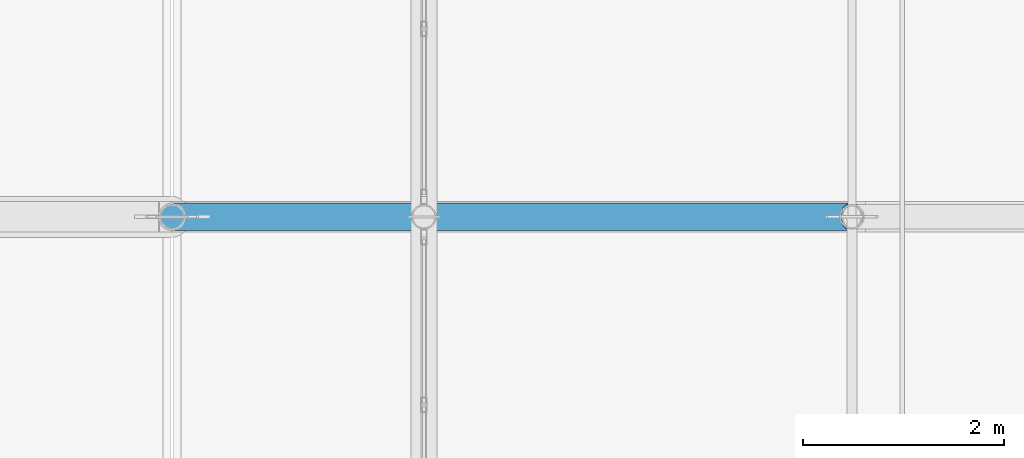
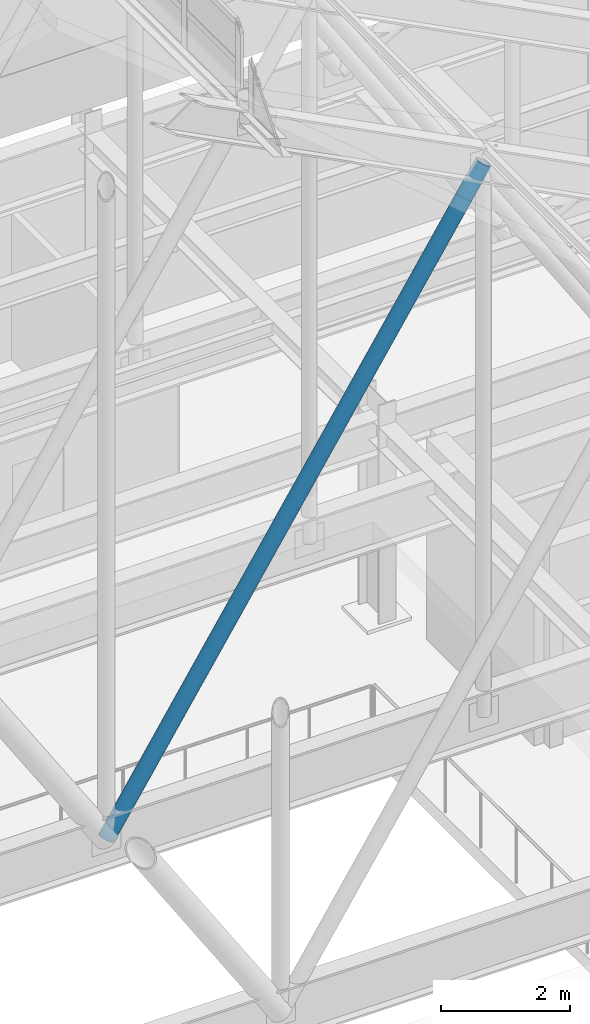
# One storey, part 44 of 84: 1 member.
"""IFC4 building model written with IfcOpenShell, lengths in metres."""

from ifc_helpers import new_model, si_unit, direction, frame, origin, origin_2d, place, context, subcontext, project, spatial, hollow_circle, extrude, material, material_profile, profile_set, type_object, element, save


model = new_model("IFC4")

# Units and contexts
model_context = context("Model", 3, precision=1e-05, world=origin(), true_north=direction((0.0, 1.0)))
body_context = subcontext(model_context, "Body", "Model", "MODEL_VIEW")
ifc_project = project(units=[si_unit("LENGTHUNIT", "METRE"), si_unit("AREAUNIT", "SQUARE_METRE"), si_unit("VOLUMEUNIT", "CUBIC_METRE"), si_unit("PLANEANGLEUNIT", "RADIAN"), si_unit("MASSUNIT", "GRAM", prefix="KILO")], contexts=[model_context])

# Site, building, storey
site_placement = place(None, origin())
site = spatial("IfcSite", under=ifc_project, at=site_placement, CompositionType="ELEMENT")
building_placement = place(site_placement, origin())
building = spatial("IfcBuilding", under=site, at=building_placement, Name="Sundgate Opera House", CompositionType="ELEMENT")
storey_placement = place(building_placement, frame((0.0, 0.0, 30.60009765625)))
storey = spatial("IfcBuildingStorey", under=building, at=storey_placement, Name="L06", CompositionType="ELEMENT", Elevation=30.60009765625)

# Member
ifc_material = material(Name="Steel S355J2", Category="steel")
ifc_material_profile = material_profile(ifc_material, hollow_circle(Radius=0.136474609375, WallThickness=0.01611328125, at=origin_2d()), Name="CHS 273.0x16.0")
ifc_profile_set = profile_set([ifc_material_profile], Name="Steel S355J2")
member_type = type_object("IfcMemberType", Name="MB-STRUT-CHS273", PredefinedType="STRUT", material=ifc_profile_set)
member_placement = place(storey_placement, frame((54.0, 70.800048828125, 3.289794921875), z_axis=(0.543221949913, 0.0, 0.839589133525), x_axis=(0.0, 1.0, 0.0)))
element("IfcMember", 1, at=member_placement, inside=storey, type_object=member_type, Name="L06 Fly-Tower Warren Web Strut M0163", PredefinedType="STRUT", context=body_context, shape_type="SweptSolid", body=[
    extrude(hollow_circle(Radius=0.136474609375, WallThickness=0.01611328125, at=origin_2d()), origin(), (0.0, 0.0, 1.0), 12.42578125),
])

save(model, "model.ifc")
